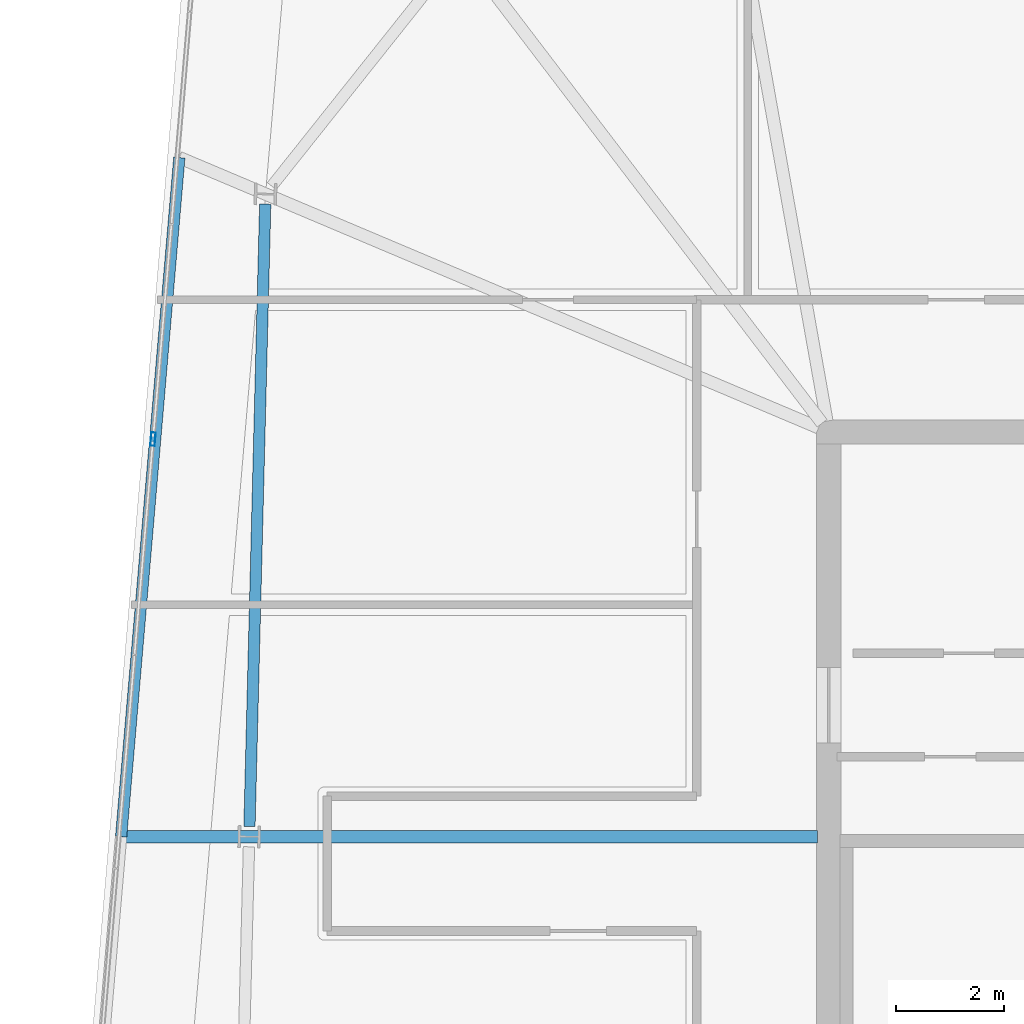
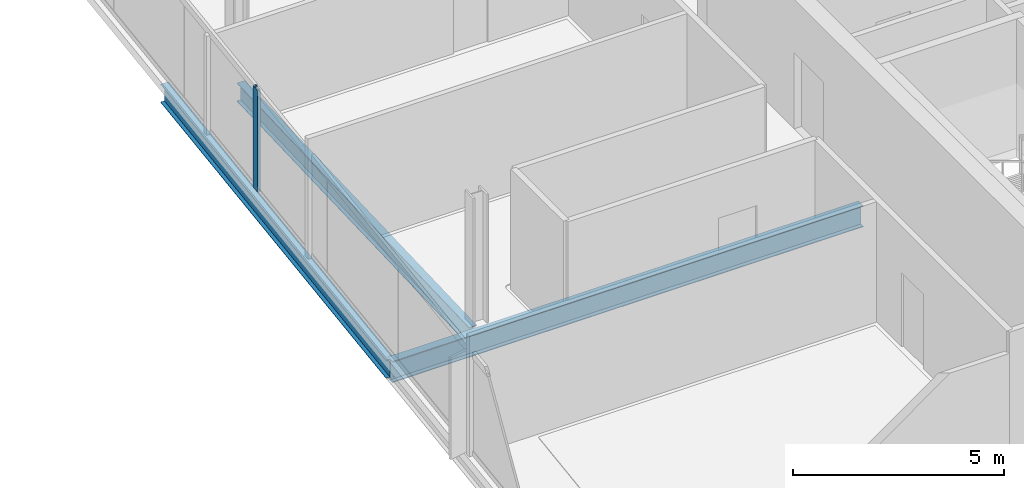
# One storey, part 7 of 24: 3 beams, 1 member, 1 element without a shape of its own.
"""IFC4 building model written with IfcOpenShell, lengths in metres."""

from ifc_helpers import new_model, si_unit, direction, frame, origin, origin_2d, place, context, subcontext, project, spatial, hollow_rectangle, i_section, extrude, material, material_profile, profile_set, type_object, element, aggregate, save


model = new_model("IFC4")

# Units and contexts
model_context = context("Model", 3, precision=1e-05, world=origin(), true_north=direction((0.0, 1.0)))
body_context = subcontext(model_context, "Body", "Model", "MODEL_VIEW")
ifc_project = project(units=[si_unit("LENGTHUNIT", "METRE"), si_unit("AREAUNIT", "SQUARE_METRE"), si_unit("VOLUMEUNIT", "CUBIC_METRE"), si_unit("PLANEANGLEUNIT", "RADIAN"), si_unit("MASSUNIT", "GRAM", prefix="KILO")], contexts=[model_context])

# Site, building, storey
site_placement = place(None, origin())
site = spatial("IfcSite", under=ifc_project, at=site_placement, CompositionType="ELEMENT")
building_placement = place(site_placement, origin())
building = spatial("IfcBuilding", under=site, at=building_placement, Name="Haldenkirk Collegiate Tower", CompositionType="ELEMENT")
storey_placement = place(building_placement, frame((0.0, 0.0, 313.949951171875)))
storey = spatial("IfcBuildingStorey", under=building, at=storey_placement, Name="L79", CompositionType="ELEMENT", Elevation=313.949951171875)

# Beams
ifc_material_1 = material(Name="Steel ASTM A992 Grade 50", Category="steel")
ifc_material_profile_1 = material_profile(ifc_material_1, i_section(OverallWidth=0.22998046875, OverallDepth=0.616943359375, WebThickness=0.01318359375, FlangeThickness=0.022216796875, at=origin_2d()), Name="W24X94")
ifc_profile_set_1 = profile_set([ifc_material_profile_1], Name="Steel ASTM A992 Grade 50")
beam_type_1 = type_object("IfcBeamType", Name="BM-GIRDER-W24X94", PredefinedType="BEAM", material=ifc_profile_set_1)
beam_1_placement = place(storey_placement, frame((13.8818359375, 26.499755859375, -0.568359375), z_axis=(1.0, 0.0, 0.0), x_axis=(0.0, 1.0, 0.0)))
element("IfcBeam", 1, at=beam_1_placement, inside=storey, type_object=beam_type_1, Name="L79 primary floor girder 12", PredefinedType="BEAM", context=body_context, shape_type="SweptSolid", body=[
    extrude(i_section(OverallWidth=0.22998046875, OverallDepth=0.616943359375, WebThickness=0.01318359375, FlangeThickness=0.022216796875, at=origin_2d()), origin(), (0.0, 0.0, 1.0), 12.9130859375),
])
ifc_material_profile_2 = material_profile(ifc_material_1, i_section(OverallWidth=0.2099609375, OverallDepth=0.537109375, WebThickness=0.010986328125, FlangeThickness=0.017333984375, at=origin_2d()), Name="W21X68")
ifc_profile_set_2 = profile_set([ifc_material_profile_2], Name="Steel ASTM A992 Grade 50")
beam_type_2 = type_object("IfcBeamType", Name="BM-SPANDREL-W21X68", PredefinedType="SPANDREL", material=ifc_profile_set_2)
beam_2_placement = place(storey_placement, frame((16.552978515625, 38.22412109375, -0.528564453125), z_axis=(-0.025302458902, -0.999679841536, 0.0), x_axis=(0.999679841536, -0.025302458902, 0.0)))
element("IfcBeam", 2, at=beam_2_placement, inside=storey, type_object=beam_type_2, Name="L79 perimeter spandrel beam 10", PredefinedType="SPANDREL", context=body_context, shape_type="SweptSolid", body=[
    extrude(i_section(OverallWidth=0.2099609375, OverallDepth=0.537109375, WebThickness=0.010986328125, FlangeThickness=0.017333984375, at=origin_2d()), origin(), (0.0, 0.0, 1.0), 11.5400390625),
])
beam_3_placement = place(storey_placement, frame((14.9609375, 39.086669921875, -0.528564453125), z_axis=(-0.085418681489, -0.996345145445, 0.0), x_axis=(0.996345145445, -0.085418681489, 0.0)))
element("IfcBeam", 3, at=beam_3_placement, inside=storey, type_object=beam_type_2, Name="L79 outer facade edge beam 3A", PredefinedType="SPANDREL", context=body_context, shape_type="SweptSolid", body=[
    extrude(i_section(OverallWidth=0.2099609375, OverallDepth=0.537109375, WebThickness=0.010986328125, FlangeThickness=0.017333984375, at=origin_2d()), origin(), (0.0, 0.0, 1.0), 12.633056640625),
])

# Curtain wall, member
ifc_material_2 = material(Name="Anodised architectural bronze aluminium", Category="aluminium")
curtain_wall_type = type_object("IfcCurtainWallType", Name="CW-SYS1B-CONVEX-HI", PredefinedType="USERDEFINED", material=ifc_material_2)
curtain_wall_placement = place(storey_placement, origin())
curtain_wall = element("IfcCurtainWall", 4, at=curtain_wall_placement, inside=storey, type_object=curtain_wall_type, Name="L79 Upper tower high-wind convex bronze unitised curtain wall", ObjectType="UNITISED CURTAIN WALL", PredefinedType="USERDEFINED")
ifc_material_profile_3 = material_profile(ifc_material_2, hollow_rectangle(XDim=0.0849609375, YDim=0.25, WallThickness=0.0048828125, at=origin_2d()), Name="CW-MUL-1B")
ifc_profile_set_3 = profile_set([ifc_material_profile_3], Name="Anodised architectural bronze aluminium")
member_type = type_object("IfcMemberType", Name="CW-MUL-1B", PredefinedType="MULLION", material=ifc_profile_set_3)
member_placement = place(storey_placement, frame((14.473388671875, 33.867431640625, 0.0), z_axis=(0.0, 0.0, 1.0), x_axis=(-0.996345311804, 0.085416741017, 0.0)))
member = element("IfcMember", 5, at=member_placement, type_object=member_type, Name="CW-1B mullion 3", PredefinedType="MULLION", context=body_context, shape_type="SweptSolid", body=[
    extrude(hollow_rectangle(XDim=0.0849609375, YDim=0.25, WallThickness=0.0048828125, at=origin_2d()), origin(), (0.0, 0.0, 1.0), 2.947998046875),
])
aggregate(curtain_wall, [member])

save(model, "model.ifc")
